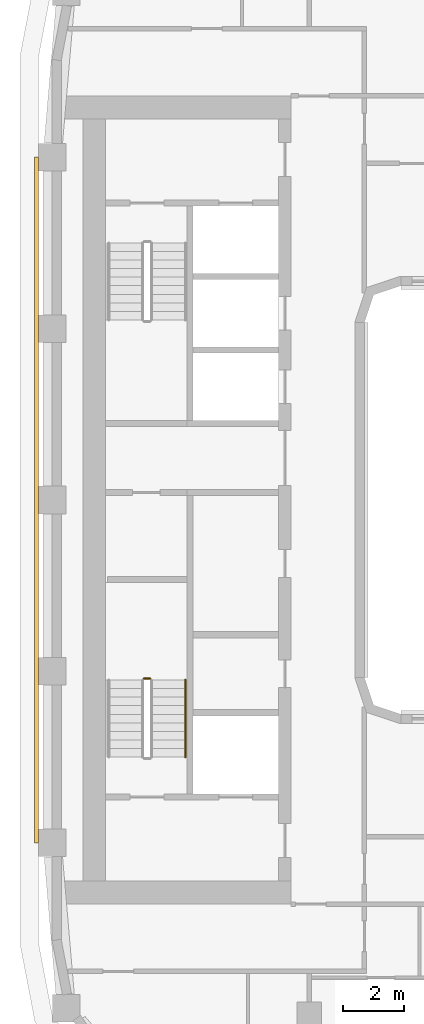
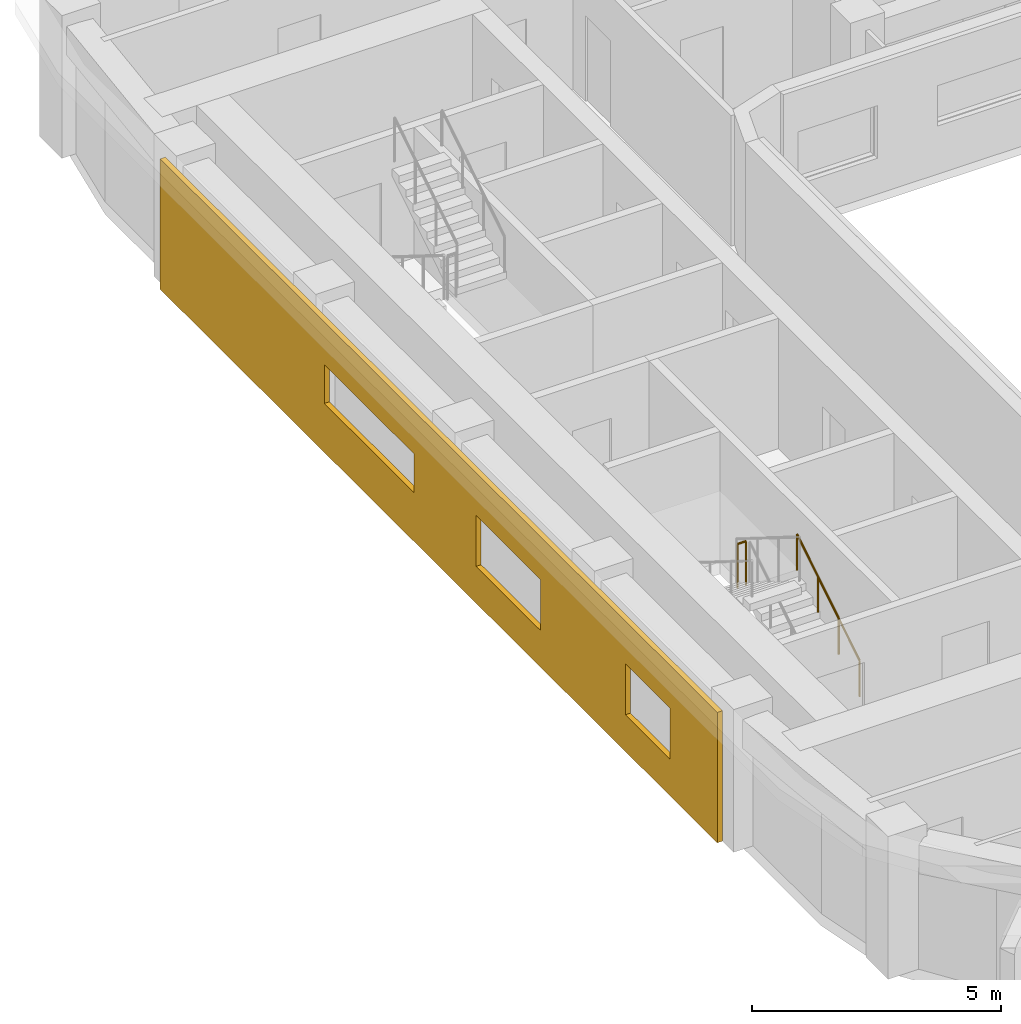
# One storey, part 12 of 21: 2 railings, 1 covering.
"""IFC4 building model written with IfcOpenShell, lengths in metres."""

from ifc_helpers import new_model, si_unit, direction, frame, origin, origin_2d, place, context, subcontext, project, spatial, polyline, circle, outline, extrude, material, layer, layer_set, type_object, element, save


model = new_model("IFC4")

# Units and contexts
model_context = context("Model", 3, precision=1e-05, world=origin(), true_north=direction((0.0, 1.0)))
body_context = subcontext(model_context, "Body", "Model", "MODEL_VIEW")
ifc_project = project(units=[si_unit("LENGTHUNIT", "METRE"), si_unit("AREAUNIT", "SQUARE_METRE"), si_unit("VOLUMEUNIT", "CUBIC_METRE"), si_unit("PLANEANGLEUNIT", "RADIAN"), si_unit("MASSUNIT", "GRAM", prefix="KILO")], contexts=[model_context])

# Site, building, storey
site_placement = place(None, origin())
site = spatial("IfcSite", under=ifc_project, at=site_placement, CompositionType="ELEMENT")
building_placement = place(site_placement, origin())
building = spatial("IfcBuilding", under=site, at=building_placement, Name="Kiln Ring Residences", CompositionType="ELEMENT")
storey_placement = place(building_placement, frame((0.0, 0.0, 195.89990234375)))
storey = spatial("IfcBuildingStorey", under=building, at=storey_placement, Name="L50", CompositionType="ELEMENT", Elevation=195.89990234375)

# Railings
ifc_material_1 = material(Name="Stainless steel", Category="steel")
railing_type_1 = type_object("IfcRailingType", Name="CORE-STAIR-GUARD", PredefinedType="GUARDRAIL", material=ifc_material_1)
railing_1_placement = place(storey_placement, frame((-22.0, -5.830078125, 1.75)))
element("IfcRailing", 1, at=railing_1_placement, inside=storey, type_object=railing_type_1, Name="L50 W-STS stair guard 2", PredefinedType="GUARDRAIL", context=body_context, shape_type="SweptSolid", body=[
    extrude(circle(Radius=0.02392578125, at=origin_2d()), frame((0.0, 0.0, 1.076171875), z_axis=(-1.0, 0.0, 0.0), x_axis=(0.0, -1.0, 0.0)), (0.0, 0.0, 1.0), 0.199951171875),
    extrude(circle(Radius=0.02099609375, at=origin_2d()), origin(), (0.0, 0.0, 1.0), 1.052001953125),
    extrude(circle(Radius=0.02099609375, at=origin_2d()), frame((-0.199951171875, 0.0, 0.0)), (0.0, 0.0, 1.0), 1.052001953125),
])
ifc_material_2 = material(Name="Stainless steel", Category="steel")
railing_type_2 = type_object("IfcRailingType", Name="CORE-STAIR-HANDRAIL", PredefinedType="HANDRAIL", material=ifc_material_2)
railing_2_placement = place(storey_placement, frame((-20.85009765625, -8.39990234375, 0.175048828125)))
element("IfcRailing", 2, at=railing_2_placement, inside=storey, type_object=railing_type_2, Name="L50 W-STS stair handrail 1", PredefinedType="HANDRAIL", context=body_context, shape_type="SweptSolid", body=[
    extrude(circle(Radius=0.02392578125, at=origin_2d()), frame((0.0, 0.0, 0.8759765625), z_axis=(0.0, 0.848007534815, 0.529984170421), x_axis=(-1.0, 0.0, 0.0)), (0.0, 0.0, 1.0), 2.9716796875),
    extrude(circle(Radius=0.02099609375, at=origin_2d()), origin(), (0.0, 0.0, 1.0), 0.851806640625),
    extrude(circle(Radius=0.02099609375, at=origin_2d()), frame((0.0, 0.840087890625, 0.52490234375)), (0.0, 0.0, 1.0), 0.851806640625),
    extrude(circle(Radius=0.02099609375, at=origin_2d()), frame((0.0, 1.679931640625, 1.050048828125)), (0.0, 0.0, 1.0), 0.851806640625),
    extrude(circle(Radius=0.02099609375, at=origin_2d()), frame((0.0, 2.52001953125, 1.574951171875)), (0.0, 0.0, 1.0), 0.851806640625),
])

# Covering
ifc_material_3 = material(Name="Brick masonry, dark clay brick", Category="masonry")
ifc_layer = layer(ifc_material_3, 0.1201171875)
ifc_layer_set = layer_set([ifc_layer], Name="RAINSCREEN PANEL 120")
covering_type = type_object("IfcCoveringType", Name="RAINSCREEN PANEL 120", PredefinedType="CLADDING", material=ifc_layer_set)
covering_placement = place(storey_placement, frame((-25.7099609375, 11.199951171875, 0.0), z_axis=(0.0, 0.0, 1.0), x_axis=(0.0, -1.0, 0.0)))
element("IfcCovering", 3, at=covering_placement, inside=storey, type_object=covering_type, Name="RAINSCREEN L50", PredefinedType="CLADDING", context=body_context, shape_type="SweptSolid", body=[
    extrude(outline(polyline([(0.0, 0.0), (22.39990234375, 0.0), (22.39990234375, 3.2001953125), (0.0, 3.2001953125), (0.0, 0.0)]), holes=[polyline([(15.300048828125, 2.150146484375), (12.699951171875, 2.150146484375), (12.699951171875, 0.900146484375), (15.300048828125, 0.900146484375), (15.300048828125, 2.150146484375)]), polyline([(20.5, 0.900146484375), (20.5, 2.150146484375), (18.699951171875, 2.150146484375), (18.699951171875, 0.900146484375), (20.5, 0.900146484375)]), polyline([(10.199951171875, 1.2001953125), (10.199951171875, 2.150146484375), (6.60009765625, 2.150146484375), (6.60009765625, 1.2001953125), (10.199951171875, 1.2001953125)])]), frame((0.0, 0.06005859375, 0.0), z_axis=(0.0, -1.0, 0.0), x_axis=(1.0, 0.0, 0.0)), (0.0, 0.0, 1.0), 0.1201171875),
])

save(model, "model.ifc")
